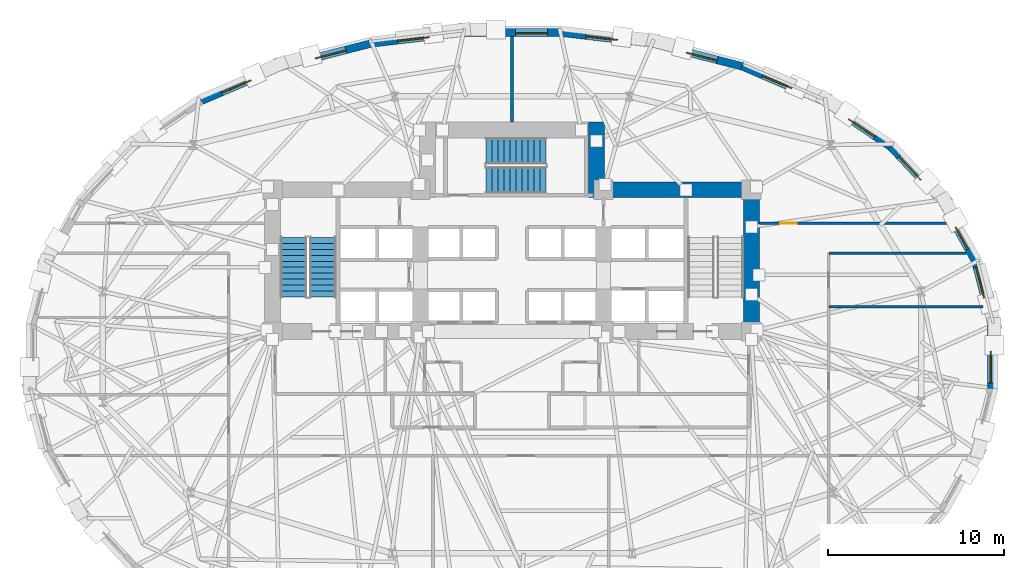
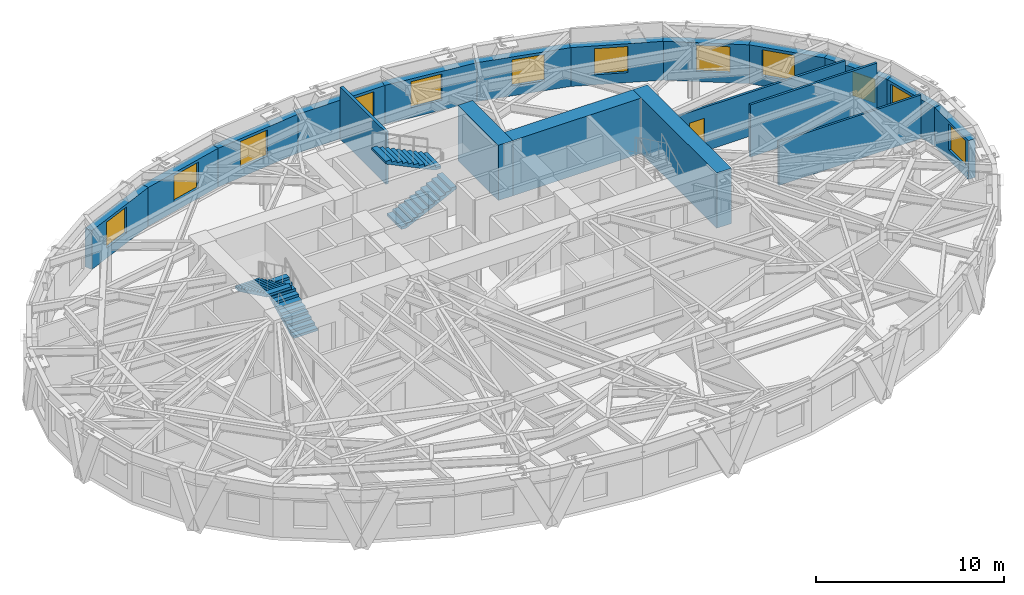
# One storey, part 9 of 14: 19 walls, 12 windows, 4 stair flights, 1 door, 13 openings, 2 elements without a shape of their own.
"""IFC4 building model written with IfcOpenShell, lengths in metres."""

from ifc_helpers import new_model, si_unit, direction, frame, frame_2d, origin, place, context, subcontext, project, spatial, polyline, rectangle, outline, extrude, material, layer, layer_set, type_object, element, fill, aggregate, save


model = new_model("IFC4")

# Units and contexts
model_context = context("Model", 3, precision=1e-05, world=origin(), true_north=direction((0.0, 1.0)))
body_context = subcontext(model_context, "Body", "Model", "MODEL_VIEW")
ifc_project = project(units=[si_unit("LENGTHUNIT", "METRE"), si_unit("AREAUNIT", "SQUARE_METRE"), si_unit("VOLUMEUNIT", "CUBIC_METRE"), si_unit("PLANEANGLEUNIT", "RADIAN"), si_unit("MASSUNIT", "GRAM", prefix="KILO")], contexts=[model_context])

# Site, building, storey
site_placement = place(None, origin())
site = spatial("IfcSite", under=ifc_project, at=site_placement, CompositionType="ELEMENT")
building_placement = place(site_placement, origin())
building = spatial("IfcBuilding", under=site, at=building_placement, Name="Keldmark Tower", CompositionType="ELEMENT")
storey_placement = place(building_placement, frame((0.0, 0.0, 48.60009765625)))
storey = spatial("IfcBuildingStorey", under=building, at=storey_placement, Name="L12", CompositionType="ELEMENT", Elevation=48.60009765625)

# Wall, opening, door
ifc_material_1 = material(Name="Acoustic Double-Layer Gypsum Corridor Partition", Category="gypsum")
ifc_layer_1 = layer(ifc_material_1, 0.139892578125)
ifc_layer_set_1 = layer_set([ifc_layer_1], Name="Acoustic Double-Layer Gypsum Corridor Partition")
wall_type_1 = type_object("IfcWallType", Name="Acoustic Corridor Partition 140 mm", PredefinedType="PARTITIONING", material=ifc_layer_set_1)
wall_1_placement = place(storey_placement, frame((14.050048828125, 7.550048828125, 0.0), z_axis=(0.0, 0.0, 1.0), x_axis=(1.0, 0.0, 0.0)))
wall_1 = element("IfcWall", 1, at=wall_1_placement, inside=storey, type_object=wall_type_1, Name="L12 Acoustic Corridor Partition 140 mm COR-EN-CAP", PredefinedType="PARTITIONING", context=body_context, shape_type="SweptSolid", body=[
    extrude(rectangle(XDim=10.805908203125, YDim=0.139892578125, at=frame_2d((5.40283203125, 0.0))), origin(), (0.0, 0.0, 1.0), 2.852783203125),
])
opening_1_placement = place(wall_1_placement, frame((1.199951171875, 0.0, 0.0)))
opening_1 = element("IfcOpeningElement", 2, at=opening_1_placement, cuts=wall_1, Name="Opening D-EX092", PredefinedType="OPENING", context=body_context, shape_type="SweptSolid", body=[
    extrude(rectangle(XDim=0.919921875, YDim=2.14990234375, at=frame_2d((0.4599609375, 1.074951171875))), frame((0.0, 0.079833984375, 0.0), z_axis=(0.0, -1.0, 0.0), x_axis=(1.0, 0.0, 0.0)), (0.0, 0.0, 1.0), 0.159912109375),
])
ifc_material_2 = material(Name="Flush American Ash Executive Office Door", Category="wood")
door_type = type_object("IfcDoorType", Name="Executive Office Door 920x2150", OperationType="NOTDEFINED", PredefinedType="DOOR", material=ifc_material_2)
door_placement = place(opening_1_placement, origin())
door = element("IfcDoor", 3, at=door_placement, inside=storey, type_object=door_type, Name="L12 Executive Office Door 920x2150 D-NRNE-L12", OperationType="SINGLE_SWING_RIGHT", OverallHeight=2.14990234375, OverallWidth=0.919921875, PredefinedType="DOOR", context=body_context, shape_type="SweptSolid", body=[
    extrude(rectangle(XDim=0.919921875, YDim=2.14990234375, at=frame_2d((0.4599609375, 1.074951171875))), frame((0.0, 0.02490234375, 0.0), z_axis=(0.0, -1.0, 0.0), x_axis=(1.0, 0.0, 0.0)), (0.0, 0.0, 1.0), 0.050048828125),
])
fill(opening_1, door)

# Walls
wall_2_placement = place(storey_placement, frame((18.0, 5.85009765625, 0.0), z_axis=(0.0, 0.0, 1.0), x_axis=(1.0, 0.0, 0.0)))
element("IfcWall", 4, at=wall_2_placement, inside=storey, type_object=wall_type_1, Name="L12 Acoustic Corridor Partition 140 mm COR-EA-S", PredefinedType="PARTITIONING", context=body_context, shape_type="SweptSolid", body=[
    extrude(rectangle(XDim=7.8046875, YDim=0.139892578125, at=frame_2d((3.90234375, 0.0))), origin(), (0.0, 0.0, 1.0), 3.39990234375),
])
ifc_material_3 = material(Name="STC-58 Insulated Tenant Demising Gypsum Partition", Category="gypsum")
ifc_layer_2 = layer(ifc_material_3, 0.175048828125)
ifc_layer_set_2 = layer_set([ifc_layer_2], Name="STC-58 Insulated Tenant Demising Gypsum Partition")
wall_type_2 = type_object("IfcWallType", Name="Demising Suite Partition 175 mm", PredefinedType="PARTITIONING", material=ifc_layer_set_2)
wall_3_placement = place(storey_placement, frame((0.0, 13.300048828125, 0.0), z_axis=(0.0, 0.0, 1.0), x_axis=(0.0, 1.0, 0.0)))
element("IfcWall", 5, at=wall_3_placement, inside=storey, type_object=wall_type_2, Name="L12 Demising Suite Partition 175 mm N-MID-DIV", PredefinedType="PARTITIONING", context=body_context, shape_type="SweptSolid", body=[
    extrude(rectangle(XDim=4.863037109375, YDim=0.175048828125, at=frame_2d((2.431640625, 0.0))), origin(), (0.0, 0.0, 1.0), 3.39990234375),
])
ifc_material_4 = material(Name="Acoustic Gypsum Board Interior Partition", Category="gypsum")
ifc_layer_3 = layer(ifc_material_4, 0.1298828125)
ifc_layer_set_3 = layer_set([ifc_layer_3], Name="Acoustic Gypsum Board Interior Partition")
wall_type_3 = type_object("IfcWallType", Name="Interior Partition 130 mm", PredefinedType="PARTITIONING", material=ifc_layer_set_3)
wall_4_placement = place(storey_placement, frame((18.0, 2.800048828125, 0.0), z_axis=(0.0, 0.0, 1.0), x_axis=(1.0, 0.0, 0.0)))
element("IfcWall", 6, at=wall_4_placement, inside=storey, type_object=wall_type_3, Name="L12 Interior Partition 130 mm E-DIV-1", PredefinedType="PARTITIONING", context=body_context, shape_type="SweptSolid", body=[
    extrude(rectangle(XDim=8.755859375, YDim=0.1298828125, at=frame_2d((4.3779296875, 0.0))), origin(), (0.0, 0.0, 1.0), 2.8408203125),
])
ifc_material_5 = material(Name="Concrete C70/85", Category="concrete")
ifc_layer_4 = layer(ifc_material_5, 0.89990234375)
ifc_layer_set_4 = layer_set([ifc_layer_4], Name="Concrete C70/85")
wall_type_4 = type_object("IfcWallType", Name="Lower Core Shear Wall 900 mm", PredefinedType="SHEAR", material=ifc_layer_set_4)
wall_5_placement = place(storey_placement, frame((13.60009765625, 0.949951171875, 0.0), z_axis=(0.0, 0.0, 1.0), x_axis=(0.0, 1.0, 0.0)))
element("IfcWall", 7, at=wall_5_placement, inside=storey, type_object=wall_type_4, Name="L12 East Core Outer Shear Wall", PredefinedType="SHEAR", context=body_context, shape_type="SweptSolid", body=[
    extrude(rectangle(XDim=8.949951171875, YDim=0.89990234375, at=frame_2d((4.47509765625, 0.0))), origin(), (0.0, 0.0, 1.0), 3.599853515625),
])
wall_6_placement = place(storey_placement, frame((4.35009765625, 9.449951171875, 0.0), z_axis=(0.0, 0.0, 1.0), x_axis=(1.0, 0.0, 0.0)))
element("IfcWall", 8, at=wall_6_placement, inside=storey, type_object=wall_type_4, Name="L12 East Core North Shear Wall", PredefinedType="SHEAR", context=body_context, shape_type="SweptSolid", body=[
    extrude(rectangle(XDim=9.699951171875, YDim=0.89990234375, at=frame_2d((4.85009765625, 0.0))), origin(), (0.0, 0.0, 1.0), 3.599853515625),
])
wall_7_placement = place(storey_placement, frame((4.800048828125, 9.0, 0.0), z_axis=(0.0, 0.0, 1.0), x_axis=(0.0, 1.0, 0.0)))
element("IfcWall", 9, at=wall_7_placement, inside=storey, type_object=wall_type_4, Name="L12 North Core East Shear Wall", PredefinedType="SHEAR", context=body_context, shape_type="SweptSolid", body=[
    extrude(rectangle(XDim=4.300048828125, YDim=0.89990234375, at=frame_2d((2.14990234375, 0.0))), origin(), (0.0, 0.0, 1.0), 3.599853515625),
])

# Wall, opening, window
ifc_material_6 = material(Name="Ironspot Manganese Brick and Kasota Buff Limestone Spandrel Assembly", Category="masonry")
ifc_layer_5 = layer(ifc_material_6, 0.43994140625)
ifc_layer_set_5 = layer_set([ifc_layer_5], Name="Ironspot Manganese Brick and Kasota Buff Limestone Spandrel Assembly")
wall_type_5 = type_object("IfcWallType", Name="Tower Brick Pier and Spandrel Wall 440 mm", PredefinedType="STANDARD", material=ifc_layer_set_5)
wall_8_placement = place(storey_placement, frame((26.3251953125, 5.400390625, 0.0), z_axis=(0.0, 0.0, 1.0), x_axis=(0.248062710061, -0.968743976434, 0.0)))
wall_8 = element("IfcWall", 10, at=wall_8_placement, inside=storey, type_object=wall_type_5, Name="L12 Exterior Brick and Spandrel Wall 01", PredefinedType="STANDARD", context=body_context, shape_type="SweptSolid", body=[
    extrude(rectangle(XDim=3.739013671875, YDim=0.43994140625, at=frame_2d((1.86962890625, 0.0))), origin(), (0.0, 0.0, 1.0), 2.52880859375),
])
opening_2_placement = place(wall_8_placement, frame((0.348876953125, 0.0, 0.64990234375)))
opening_2 = element("IfcOpeningElement", 11, at=opening_2_placement, cuts=wall_8, Name="Opening W-02", PredefinedType="OPENING", context=body_context, shape_type="SweptSolid", body=[
    extrude(rectangle(XDim=1.800048828125, YDim=1.699951171875, at=frame_2d((0.89990234375, 0.85009765625))), frame((0.0, 0.22998046875, 0.0), z_axis=(0.0, -1.0, 0.0), x_axis=(1.0, 0.0, 0.0)), (0.0, 0.0, 1.0), 0.4599609375),
])
ifc_material_7 = material(Name="Thermally Broken Anodized Aluminum and Triple Low-E Argon Glazing", Category="aluminium")
window_type_1 = type_object("IfcWindowType", Name="Office Deep-Set Triple Window 1800x1700", PartitioningType="TRIPLE_PANEL_VERTICAL", PredefinedType="WINDOW", material=ifc_material_7)
window_1_placement = place(opening_2_placement, origin())
window_1 = element("IfcWindow", 12, at=window_1_placement, inside=storey, type_object=window_type_1, Name="L12 Deep-Set Window 01", OverallHeight=1.699951171875, OverallWidth=1.800048828125, PartitioningType="SINGLE_PANEL", PredefinedType="WINDOW", context=body_context, shape_type="SweptSolid", body=[
    extrude(rectangle(XDim=1.800048828125, YDim=1.699951171875, at=frame_2d((0.89990234375, 0.85009765625))), frame((0.0, -0.010009765625, 0.0), z_axis=(0.0, -1.0, 0.0), x_axis=(1.0, 0.0, 0.0)), (0.0, 0.0, 1.0), 0.06005859375),
])
fill(opening_2, window_1)

wall_9_placement = place(storey_placement, frame((24.416259765625, 8.8056640625, 0.0), z_axis=(0.0, 0.0, 1.0), x_axis=(0.487369438963, -0.873195871477, 0.0)))
wall_9 = element("IfcWall", 13, at=wall_9_placement, inside=storey, type_object=wall_type_5, Name="L12 Exterior Brick and Spandrel Wall 02", PredefinedType="STANDARD", context=body_context, shape_type="SweptSolid", body=[
    extrude(rectangle(XDim=3.9599609375, YDim=0.43994140625, at=frame_2d((1.97998046875, 0.0))), origin(), (0.0, 0.0, 1.0), 2.52880859375),
])
opening_3_placement = place(wall_9_placement, frame((1.672607421875, 0.0, 0.580078125)))
opening_3 = element("IfcOpeningElement", 14, at=opening_3_placement, cuts=wall_9, Name="Opening W-08", PredefinedType="OPENING", context=body_context, shape_type="SweptSolid", body=[
    extrude(rectangle(XDim=1.39990234375, YDim=1.550048828125, at=frame_2d((0.699951171875, 0.77490234375))), frame((0.0, 0.22998046875, 0.0), z_axis=(0.0, -1.0, 0.0), x_axis=(1.0, 0.0, 0.0)), (0.0, 0.0, 1.0), 0.4599609375),
])
ifc_material_8 = material(Name="Thermally Broken Anodized Aluminum and Triple Low-E Argon Glazing", Category="aluminium")
window_type_2 = type_object("IfcWindowType", Name="Residential Corner Punched Window 1400x1550", PartitioningType="SINGLE_PANEL", PredefinedType="WINDOW", material=ifc_material_8)
window_2_placement = place(opening_3_placement, origin())
window_2 = element("IfcWindow", 15, at=window_2_placement, inside=storey, type_object=window_type_2, Name="L12 Deep-Set Window 02", OverallHeight=1.550048828125, OverallWidth=1.39990234375, PartitioningType="SINGLE_PANEL", PredefinedType="WINDOW", context=body_context, shape_type="SweptSolid", body=[
    extrude(rectangle(XDim=1.39990234375, YDim=1.550048828125, at=frame_2d((0.699951171875, 0.77490234375))), frame((0.0, -0.010009765625, 0.0), z_axis=(0.0, -1.0, 0.0), x_axis=(1.0, 0.0, 0.0)), (0.0, 0.0, 1.0), 0.06005859375),
])
fill(opening_3, window_2)

wall_10_placement = place(storey_placement, frame((21.51220703125, 11.902099609375, 0.0), z_axis=(0.0, 0.0, 1.0), x_axis=(0.68299392258, -0.730424056093, 0.0)))
wall_10 = element("IfcWall", 16, at=wall_10_placement, inside=storey, type_object=wall_type_5, Name="L12 Exterior Brick and Spandrel Wall 03", PredefinedType="STANDARD", context=body_context, shape_type="SweptSolid", body=[
    extrude(rectangle(XDim=4.298095703125, YDim=0.43994140625, at=frame_2d((2.14892578125, 0.0))), origin(), (0.0, 0.0, 1.0), 2.52880859375),
])
opening_4_placement = place(wall_10_placement, frame((0.74951171875, 0.0, 0.64990234375)))
opening_4 = element("IfcOpeningElement", 17, at=opening_4_placement, cuts=wall_10, Name="Opening W-02", PredefinedType="OPENING", context=body_context, shape_type="SweptSolid", body=[
    extrude(rectangle(XDim=1.800048828125, YDim=1.699951171875, at=frame_2d((0.89990234375, 0.85009765625))), frame((0.0, 0.22998046875, 0.0), z_axis=(0.0, -1.0, 0.0), x_axis=(1.0, 0.0, 0.0)), (0.0, 0.0, 1.0), 0.4599609375),
])
window_3_placement = place(opening_4_placement, origin())
window_3 = element("IfcWindow", 18, at=window_3_placement, inside=storey, type_object=window_type_1, Name="L12 Deep-Set Window 03", OverallHeight=1.699951171875, OverallWidth=1.800048828125, PartitioningType="SINGLE_PANEL", PredefinedType="WINDOW", context=body_context, shape_type="SweptSolid", body=[
    extrude(rectangle(XDim=1.800048828125, YDim=1.699951171875, at=frame_2d((0.89990234375, 0.85009765625))), frame((0.0, -0.010009765625, 0.0), z_axis=(0.0, -1.0, 0.0), x_axis=(1.0, 0.0, 0.0)), (0.0, 0.0, 1.0), 0.06005859375),
])
fill(opening_4, window_3)

wall_11_placement = place(storey_placement, frame((17.6630859375, 14.503662109375, 0.0), z_axis=(0.0, 0.0, 1.0), x_axis=(0.827825981515, -0.560984976919, 0.0)))
wall_11 = element("IfcWall", 19, at=wall_11_placement, inside=storey, type_object=wall_type_5, Name="L12 Exterior Brick and Spandrel Wall 04", PredefinedType="STANDARD", context=body_context, shape_type="SweptSolid", body=[
    extrude(rectangle(XDim=4.694580078125, YDim=0.43994140625, at=frame_2d((2.34716796875, 0.0))), origin(), (0.0, 0.0, 1.0), 2.52880859375),
])
opening_5_placement = place(wall_11_placement, frame((1.79638671875, 0.0, 0.64990234375)))
opening_5 = element("IfcOpeningElement", 20, at=opening_5_placement, cuts=wall_11, Name="Opening W-02", PredefinedType="OPENING", context=body_context, shape_type="SweptSolid", body=[
    extrude(rectangle(XDim=1.800048828125, YDim=1.699951171875, at=frame_2d((0.89990234375, 0.85009765625))), frame((0.0, 0.22998046875, 0.0), z_axis=(0.0, -1.0, 0.0), x_axis=(1.0, 0.0, 0.0)), (0.0, 0.0, 1.0), 0.4599609375),
])
window_4_placement = place(opening_5_placement, origin())
window_4 = element("IfcWindow", 21, at=window_4_placement, inside=storey, type_object=window_type_1, Name="L12 Deep-Set Window 04", OverallHeight=1.699951171875, OverallWidth=1.800048828125, PartitioningType="SINGLE_PANEL", PredefinedType="WINDOW", context=body_context, shape_type="SweptSolid", body=[
    extrude(rectangle(XDim=1.800048828125, YDim=1.699951171875, at=frame_2d((0.89990234375, 0.85009765625))), frame((0.0, -0.010009765625, 0.0), z_axis=(0.0, -1.0, 0.0), x_axis=(1.0, 0.0, 0.0)), (0.0, 0.0, 1.0), 0.06005859375),
])
fill(opening_5, window_4)

wall_12_placement = place(storey_placement, frame((13.066650390625, 16.47265625, 0.0), z_axis=(0.0, 0.0, 1.0), x_axis=(0.918881850071, -0.394532819433, 0.0)))
wall_12 = element("IfcWall", 22, at=wall_12_placement, inside=storey, type_object=wall_type_5, Name="L12 Exterior Brick and Spandrel Wall 05", PredefinedType="STANDARD", context=body_context, shape_type="SweptSolid", body=[
    extrude(rectangle(XDim=5.0419921875, YDim=0.43994140625, at=frame_2d((2.52099609375, 0.0))), origin(), (0.0, 0.0, 1.0), 2.52880859375),
])
opening_6_placement = place(wall_12_placement, frame((1.296875, 0.0, 0.64990234375)))
opening_6 = element("IfcOpeningElement", 23, at=opening_6_placement, cuts=wall_12, Name="Opening W-02", PredefinedType="OPENING", context=body_context, shape_type="SweptSolid", body=[
    extrude(rectangle(XDim=1.800048828125, YDim=1.699951171875, at=frame_2d((0.89990234375, 0.85009765625))), frame((0.0, 0.22998046875, 0.0), z_axis=(0.0, -1.0, 0.0), x_axis=(1.0, 0.0, 0.0)), (0.0, 0.0, 1.0), 0.4599609375),
])
window_5_placement = place(opening_6_placement, origin())
window_5 = element("IfcWindow", 24, at=window_5_placement, inside=storey, type_object=window_type_1, Name="L12 Deep-Set Window 05", OverallHeight=1.699951171875, OverallWidth=1.800048828125, PartitioningType="SINGLE_PANEL", PredefinedType="WINDOW", context=body_context, shape_type="SweptSolid", body=[
    extrude(rectangle(XDim=1.800048828125, YDim=1.699951171875, at=frame_2d((0.89990234375, 0.85009765625))), frame((0.0, -0.010009765625, 0.0), z_axis=(0.0, -1.0, 0.0), x_axis=(1.0, 0.0, 0.0)), (0.0, 0.0, 1.0), 0.06005859375),
])
fill(opening_6, window_5)

wall_13_placement = place(storey_placement, frame((7.99560546875, 17.76953125, 0.0), z_axis=(0.0, 0.0, 1.0), x_axis=(0.968705592422, -0.248212560542, 0.0)))
wall_13 = element("IfcWall", 25, at=wall_13_placement, inside=storey, type_object=wall_type_5, Name="L12 Exterior Brick and Spandrel Wall 06", PredefinedType="STANDARD", context=body_context, shape_type="SweptSolid", body=[
    extrude(rectangle(XDim=5.26806640625, YDim=0.43994140625, at=frame_2d((2.634033203125, 0.0))), origin(), (0.0, 0.0, 1.0), 2.52880859375),
])
opening_7_placement = place(wall_13_placement, frame((1.9814453125, 0.0, 0.64990234375)))
opening_7 = element("IfcOpeningElement", 26, at=opening_7_placement, cuts=wall_13, Name="Opening W-02", PredefinedType="OPENING", context=body_context, shape_type="SweptSolid", body=[
    extrude(rectangle(XDim=1.800048828125, YDim=1.699951171875, at=frame_2d((0.89990234375, 0.85009765625))), frame((0.0, 0.22998046875, 0.0), z_axis=(0.0, -1.0, 0.0), x_axis=(1.0, 0.0, 0.0)), (0.0, 0.0, 1.0), 0.4599609375),
])
window_6_placement = place(opening_7_placement, origin())
window_6 = element("IfcWindow", 27, at=window_6_placement, inside=storey, type_object=window_type_1, Name="L12 Deep-Set Window 06", OverallHeight=1.699951171875, OverallWidth=1.800048828125, PartitioningType="SINGLE_PANEL", PredefinedType="WINDOW", context=body_context, shape_type="SweptSolid", body=[
    extrude(rectangle(XDim=1.800048828125, YDim=1.699951171875, at=frame_2d((0.89990234375, 0.85009765625))), frame((0.0, -0.010009765625, 0.0), z_axis=(0.0, -1.0, 0.0), x_axis=(1.0, 0.0, 0.0)), (0.0, 0.0, 1.0), 0.06005859375),
])
fill(opening_7, window_6)

wall_14_placement = place(storey_placement, frame((2.679443359375, 18.392578125, 0.0), z_axis=(0.0, 0.0, 1.0), x_axis=(0.993159890371, -0.116762289112, 0.0)))
wall_14 = element("IfcWall", 28, at=wall_14_placement, inside=storey, type_object=wall_type_5, Name="L12 Exterior Brick and Spandrel Wall 07", PredefinedType="STANDARD", context=body_context, shape_type="SweptSolid", body=[
    extrude(rectangle(XDim=5.382080078125, YDim=0.43994140625, at=frame_2d((2.69091796875, 0.0))), origin(), (0.0, 0.0, 1.0), 2.52880859375),
])
opening_8_placement = place(wall_14_placement, frame((1.54248046875, 0.0, 0.64990234375)))
opening_8 = element("IfcOpeningElement", 29, at=opening_8_placement, cuts=wall_14, Name="Opening W-02", PredefinedType="OPENING", context=body_context, shape_type="SweptSolid", body=[
    extrude(rectangle(XDim=1.800048828125, YDim=1.699951171875, at=frame_2d((0.89990234375, 0.85009765625))), frame((0.0, 0.22998046875, 0.0), z_axis=(0.0, -1.0, 0.0), x_axis=(1.0, 0.0, 0.0)), (0.0, 0.0, 1.0), 0.4599609375),
])
window_7_placement = place(opening_8_placement, origin())
window_7 = element("IfcWindow", 30, at=window_7_placement, inside=storey, type_object=window_type_1, Name="L12 Deep-Set Window 07", OverallHeight=1.699951171875, OverallWidth=1.800048828125, PartitioningType="SINGLE_PANEL", PredefinedType="WINDOW", context=body_context, shape_type="SweptSolid", body=[
    extrude(rectangle(XDim=1.800048828125, YDim=1.699951171875, at=frame_2d((0.89990234375, 0.85009765625))), frame((0.0, -0.010009765625, 0.0), z_axis=(0.0, -1.0, 0.0), x_axis=(1.0, 0.0, 0.0)), (0.0, 0.0, 1.0), 0.06005859375),
])
fill(opening_8, window_7)

wall_15_placement = place(storey_placement, frame((-2.705078125, 18.39111328125, 0.0), z_axis=(0.0, 0.0, 1.0), x_axis=(1.0, 0.0, 0.0)))
wall_15 = element("IfcWall", 31, at=wall_15_placement, inside=storey, type_object=wall_type_5, Name="L12 Exterior Brick and Spandrel Wall 08", PredefinedType="STANDARD", context=body_context, shape_type="SweptSolid", body=[
    extrude(rectangle(XDim=5.41015625, YDim=0.43994140625, at=frame_2d((2.705078125, 0.0))), origin(), (0.0, 0.0, 1.0), 2.52880859375),
])
opening_9_placement = place(wall_15_placement, frame((2.91650390625, 0.0, 0.64990234375)))
opening_9 = element("IfcOpeningElement", 32, at=opening_9_placement, cuts=wall_15, Name="Opening W-02", PredefinedType="OPENING", context=body_context, shape_type="SweptSolid", body=[
    extrude(rectangle(XDim=1.800048828125, YDim=1.699951171875, at=frame_2d((0.89990234375, 0.85009765625))), frame((0.0, 0.22998046875, 0.0), z_axis=(0.0, -1.0, 0.0), x_axis=(1.0, 0.0, 0.0)), (0.0, 0.0, 1.0), 0.4599609375),
])
window_8_placement = place(opening_9_placement, origin())
window_8 = element("IfcWindow", 33, at=window_8_placement, inside=storey, type_object=window_type_1, Name="L12 Deep-Set Window 08", OverallHeight=1.699951171875, OverallWidth=1.800048828125, PartitioningType="SINGLE_PANEL", PredefinedType="WINDOW", context=body_context, shape_type="SweptSolid", body=[
    extrude(rectangle(XDim=1.800048828125, YDim=1.699951171875, at=frame_2d((0.89990234375, 0.85009765625))), frame((0.0, -0.010009765625, 0.0), z_axis=(0.0, -1.0, 0.0), x_axis=(1.0, 0.0, 0.0)), (0.0, 0.0, 1.0), 0.06005859375),
])
fill(opening_9, window_8)

wall_16_placement = place(storey_placement, frame((-8.024658203125, 17.76416015625, 0.0), z_axis=(0.0, 0.0, 1.0), x_axis=(0.993159890371, 0.116762289112, 0.0)))
wall_16 = element("IfcWall", 34, at=wall_16_placement, inside=storey, type_object=wall_type_5, Name="L12 Exterior Brick and Spandrel Wall 09", PredefinedType="STANDARD", context=body_context, shape_type="SweptSolid", body=[
    extrude(rectangle(XDim=5.382080078125, YDim=0.43994140625, at=frame_2d((2.69091796875, 0.0))), origin(), (0.0, 0.0, 1.0), 2.52880859375),
])
opening_10_placement = place(wall_16_placement, frame((1.54248046875, 0.0, 0.64990234375)))
opening_10 = element("IfcOpeningElement", 35, at=opening_10_placement, cuts=wall_16, Name="Opening W-02", PredefinedType="OPENING", context=body_context, shape_type="SweptSolid", body=[
    extrude(rectangle(XDim=1.800048828125, YDim=1.699951171875, at=frame_2d((0.89990234375, 0.85009765625))), frame((0.0, 0.22998046875, 0.0), z_axis=(0.0, -1.0, 0.0), x_axis=(1.0, 0.0, 0.0)), (0.0, 0.0, 1.0), 0.4599609375),
])
window_9_placement = place(opening_10_placement, origin())
window_9 = element("IfcWindow", 36, at=window_9_placement, inside=storey, type_object=window_type_1, Name="L12 Deep-Set Window 09", OverallHeight=1.699951171875, OverallWidth=1.800048828125, PartitioningType="SINGLE_PANEL", PredefinedType="WINDOW", context=body_context, shape_type="SweptSolid", body=[
    extrude(rectangle(XDim=1.800048828125, YDim=1.699951171875, at=frame_2d((0.89990234375, 0.85009765625))), frame((0.0, -0.010009765625, 0.0), z_axis=(0.0, -1.0, 0.0), x_axis=(1.0, 0.0, 0.0)), (0.0, 0.0, 1.0), 0.06005859375),
])
fill(opening_10, window_9)

wall_17_placement = place(storey_placement, frame((-13.098876953125, 16.4619140625, 0.0), z_axis=(0.0, 0.0, 1.0), x_axis=(0.968705592422, 0.248212560542, 0.0)))
wall_17 = element("IfcWall", 37, at=wall_17_placement, inside=storey, type_object=wall_type_5, Name="L12 Exterior Brick and Spandrel Wall 10", PredefinedType="STANDARD", context=body_context, shape_type="SweptSolid", body=[
    extrude(rectangle(XDim=5.26806640625, YDim=0.43994140625, at=frame_2d((2.634033203125, 0.0))), origin(), (0.0, 0.0, 1.0), 2.52880859375),
])
opening_11_placement = place(wall_17_placement, frame((1.9814453125, 0.0, 0.64990234375)))
opening_11 = element("IfcOpeningElement", 38, at=opening_11_placement, cuts=wall_17, Name="Opening W-02", PredefinedType="OPENING", context=body_context, shape_type="SweptSolid", body=[
    extrude(rectangle(XDim=1.800048828125, YDim=1.699951171875, at=frame_2d((0.89990234375, 0.85009765625))), frame((0.0, 0.22998046875, 0.0), z_axis=(0.0, -1.0, 0.0), x_axis=(1.0, 0.0, 0.0)), (0.0, 0.0, 1.0), 0.4599609375),
])
window_10_placement = place(opening_11_placement, origin())
window_10 = element("IfcWindow", 39, at=window_10_placement, inside=storey, type_object=window_type_1, Name="L12 Deep-Set Window 10", OverallHeight=1.699951171875, OverallWidth=1.800048828125, PartitioningType="SINGLE_PANEL", PredefinedType="WINDOW", context=body_context, shape_type="SweptSolid", body=[
    extrude(rectangle(XDim=1.800048828125, YDim=1.699951171875, at=frame_2d((0.89990234375, 0.85009765625))), frame((0.0, -0.010009765625, 0.0), z_axis=(0.0, -1.0, 0.0), x_axis=(1.0, 0.0, 0.0)), (0.0, 0.0, 1.0), 0.06005859375),
])
fill(opening_11, window_10)

wall_18_placement = place(storey_placement, frame((-17.69970703125, 14.4833984375, 0.0), z_axis=(0.0, 0.0, 1.0), x_axis=(0.918881850071, 0.394532819433, 0.0)))
wall_18 = element("IfcWall", 40, at=wall_18_placement, inside=storey, type_object=wall_type_5, Name="L12 Exterior Brick and Spandrel Wall 11", PredefinedType="STANDARD", context=body_context, shape_type="SweptSolid", body=[
    extrude(rectangle(XDim=5.0419921875, YDim=0.43994140625, at=frame_2d((2.52099609375, 0.0))), origin(), (0.0, 0.0, 1.0), 2.52880859375),
])
opening_12_placement = place(wall_18_placement, frame((1.296875, 0.0, 0.64990234375)))
opening_12 = element("IfcOpeningElement", 41, at=opening_12_placement, cuts=wall_18, Name="Opening W-02", PredefinedType="OPENING", context=body_context, shape_type="SweptSolid", body=[
    extrude(rectangle(XDim=1.800048828125, YDim=1.699951171875, at=frame_2d((0.89990234375, 0.85009765625))), frame((0.0, 0.22998046875, 0.0), z_axis=(0.0, -1.0, 0.0), x_axis=(1.0, 0.0, 0.0)), (0.0, 0.0, 1.0), 0.4599609375),
])
window_11_placement = place(opening_12_placement, origin())
window_11 = element("IfcWindow", 42, at=window_11_placement, inside=storey, type_object=window_type_1, Name="L12 Deep-Set Window 11", OverallHeight=1.699951171875, OverallWidth=1.800048828125, PartitioningType="SINGLE_PANEL", PredefinedType="WINDOW", context=body_context, shape_type="SweptSolid", body=[
    extrude(rectangle(XDim=1.800048828125, YDim=1.699951171875, at=frame_2d((0.89990234375, 0.85009765625))), frame((0.0, -0.010009765625, 0.0), z_axis=(0.0, -1.0, 0.0), x_axis=(1.0, 0.0, 0.0)), (0.0, 0.0, 1.0), 0.06005859375),
])
fill(opening_12, window_11)

wall_19_placement = place(storey_placement, frame((27.245849609375, 1.8330078125, 0.0), z_axis=(0.0, 0.0, 1.0), x_axis=(0.0, -1.0, 0.0)))
wall_19 = element("IfcWall", 43, at=wall_19_placement, inside=storey, type_object=wall_type_5, Name="L12 Exterior Brick and Spandrel Wall 32", PredefinedType="STANDARD", context=body_context, shape_type="SweptSolid", body=[
    extrude(rectangle(XDim=3.666015625, YDim=0.43994140625, at=frame_2d((1.8330078125, 0.0))), origin(), (0.0, 0.0, 1.0), 2.52880859375),
])
opening_13_placement = place(wall_19_placement, frame((1.568359375, 0.0, 0.64990234375)))
opening_13 = element("IfcOpeningElement", 44, at=opening_13_placement, cuts=wall_19, Name="Opening W-02", PredefinedType="OPENING", context=body_context, shape_type="SweptSolid", body=[
    extrude(rectangle(XDim=1.800048828125, YDim=1.699951171875, at=frame_2d((0.89990234375, 0.85009765625))), frame((0.0, 0.22998046875, 0.0), z_axis=(0.0, -1.0, 0.0), x_axis=(1.0, 0.0, 0.0)), (0.0, 0.0, 1.0), 0.4599609375),
])
window_12_placement = place(opening_13_placement, origin())
window_12 = element("IfcWindow", 45, at=window_12_placement, inside=storey, type_object=window_type_1, Name="L12 Deep-Set Window 32", OverallHeight=1.699951171875, OverallWidth=1.800048828125, PartitioningType="SINGLE_PANEL", PredefinedType="WINDOW", context=body_context, shape_type="SweptSolid", body=[
    extrude(rectangle(XDim=1.800048828125, YDim=1.699951171875, at=frame_2d((0.89990234375, 0.85009765625))), frame((0.0, -0.010009765625, 0.0), z_axis=(0.0, -1.0, 0.0), x_axis=(1.0, 0.0, 0.0)), (0.0, 0.0, 1.0), 0.06005859375),
])
fill(opening_13, window_12)

# Stair, stair flights
ifc_material_9 = material(Name="Concrete C40/50", Category="concrete")
stair_type = type_object("IfcStairType", Name="Precast Concrete Core Exit Stair", PredefinedType="HALF_TURN_STAIR", material=ifc_material_9)
stair_1_placement = place(storey_placement, origin())
stair_1 = element("IfcStair", 46, at=stair_1_placement, inside=storey, type_object=stair_type, Name="L12 Exit Stair ST1", PredefinedType="HALF_TURN_STAIR")
ifc_material_10 = material(Name="Concrete C40/50", Category="concrete")
stair_flight_type = type_object("IfcStairFlightType", Name="Precast Concrete Stair Flight 1500 mm", PredefinedType="STRAIGHT", material=ifc_material_10)
stair_flight_1_placement = place(storey_placement, frame((-10.75, 3.35009765625, 0.0), z_axis=(0.0, 0.0, 1.0), x_axis=(0.0, 1.0, 0.0)))
stair_flight_1 = element("IfcStairFlight", 47, at=stair_flight_1_placement, type_object=stair_flight_type, Name="ST1 flight 1", NumberOfRisers=11, NumberOfTreads=10, PredefinedType="STRAIGHT", RiserHeight=0.163636364, TreadLength=0.34, context=body_context, shape_type="SweptSolid", body=[
    extrude(outline(polyline([(0.0, 0.0), (0.0, 0.16357421875), (0.340087890625, 0.16357421875), (0.340087890625, 0.327392578125), (0.679931640625, 0.327392578125), (0.679931640625, 0.490966796875), (1.02001953125, 0.490966796875), (1.02001953125, 0.654541015625), (1.360107421875, 0.654541015625), (1.360107421875, 0.818115234375), (1.699951171875, 0.818115234375), (1.699951171875, 0.98193359375), (2.0400390625, 0.98193359375), (2.0400390625, 1.1455078125), (2.3798828125, 1.1455078125), (2.3798828125, 1.30908203125), (2.719970703125, 1.30908203125), (2.719970703125, 1.47265625), (3.06005859375, 1.47265625), (3.06005859375, 1.636474609375), (3.39990234375, 1.636474609375), (3.39990234375, 1.800048828125), (3.39990234375, 1.469970703125), (0.345703125, 0.0), (0.0, 0.0)])), frame((0.0, 0.75, 0.0), z_axis=(0.0, -1.0, 0.0), x_axis=(1.0, 0.0, 0.0)), (0.0, 0.0, 1.0), 1.5),
])
stair_flight_2_placement = place(storey_placement, frame((-12.39990234375, 6.75, 1.7998046875), z_axis=(0.0, 0.0, 1.0), x_axis=(0.0, -1.0, 0.0)))
stair_flight_2 = element("IfcStairFlight", 48, at=stair_flight_2_placement, type_object=stair_flight_type, Name="ST1 flight 2", NumberOfRisers=11, NumberOfTreads=10, PredefinedType="STRAIGHT", RiserHeight=0.163636364, TreadLength=0.34, context=body_context, shape_type="SweptSolid", body=[
    extrude(outline(polyline([(0.0, 0.0), (0.0, 0.16357421875), (0.340087890625, 0.16357421875), (0.340087890625, 0.327392578125), (0.679931640625, 0.327392578125), (0.679931640625, 0.490966796875), (1.02001953125, 0.490966796875), (1.02001953125, 0.654541015625), (1.360107421875, 0.654541015625), (1.360107421875, 0.818115234375), (1.699951171875, 0.818115234375), (1.699951171875, 0.98193359375), (2.0400390625, 0.98193359375), (2.0400390625, 1.1455078125), (2.3798828125, 1.1455078125), (2.3798828125, 1.30908203125), (2.719970703125, 1.30908203125), (2.719970703125, 1.47265625), (3.06005859375, 1.47265625), (3.06005859375, 1.636474609375), (3.39990234375, 1.636474609375), (3.39990234375, 1.800048828125), (3.39990234375, 1.469970703125), (0.345703125, 0.0), (0.0, 0.0)])), frame((0.0, 0.75, 0.0), z_axis=(0.0, -1.0, 0.0), x_axis=(1.0, 0.0, 0.0)), (0.0, 0.0, 1.0), 1.5),
])
aggregate(stair_1, [stair_flight_1, stair_flight_2])

stair_2_placement = place(storey_placement, origin())
stair_2 = element("IfcStair", 49, at=stair_2_placement, inside=storey, type_object=stair_type, Name="L12 Exit Stair ST3", PredefinedType="HALF_TURN_STAIR")
stair_flight_3_placement = place(storey_placement, frame((-1.47509765625, 10.0, 0.0), z_axis=(0.0, 0.0, 1.0), x_axis=(1.0, 0.0, 0.0)))
stair_flight_3 = element("IfcStairFlight", 50, at=stair_flight_3_placement, type_object=stair_flight_type, Name="ST3 flight 1", NumberOfRisers=11, NumberOfTreads=10, PredefinedType="STRAIGHT", RiserHeight=0.163636364, TreadLength=0.34, context=body_context, shape_type="SweptSolid", body=[
    extrude(outline(polyline([(0.0, 0.0), (0.0, 0.16357421875), (0.340087890625, 0.16357421875), (0.340087890625, 0.327392578125), (0.679931640625, 0.327392578125), (0.679931640625, 0.490966796875), (1.02001953125, 0.490966796875), (1.02001953125, 0.654541015625), (1.360107421875, 0.654541015625), (1.360107421875, 0.818115234375), (1.699951171875, 0.818115234375), (1.699951171875, 0.98193359375), (2.0400390625, 0.98193359375), (2.0400390625, 1.1455078125), (2.3798828125, 1.1455078125), (2.3798828125, 1.30908203125), (2.719970703125, 1.30908203125), (2.719970703125, 1.47265625), (3.06005859375, 1.47265625), (3.06005859375, 1.636474609375), (3.39990234375, 1.636474609375), (3.39990234375, 1.800048828125), (3.39990234375, 1.469970703125), (0.345703125, 0.0), (0.0, 0.0)])), frame((0.0, 0.75, 0.0), z_axis=(0.0, -1.0, 0.0), x_axis=(1.0, 0.0, 0.0)), (0.0, 0.0, 1.0), 1.5),
])
stair_flight_4_placement = place(storey_placement, frame((1.925048828125, 11.64990234375, 1.7998046875), z_axis=(0.0, 0.0, 1.0), x_axis=(-1.0, 0.0, 0.0)))
stair_flight_4 = element("IfcStairFlight", 51, at=stair_flight_4_placement, type_object=stair_flight_type, Name="ST3 flight 2", NumberOfRisers=11, NumberOfTreads=10, PredefinedType="STRAIGHT", RiserHeight=0.163636364, TreadLength=0.34, context=body_context, shape_type="SweptSolid", body=[
    extrude(outline(polyline([(0.0, 0.0), (0.0, 0.16357421875), (0.340087890625, 0.16357421875), (0.340087890625, 0.327392578125), (0.679931640625, 0.327392578125), (0.679931640625, 0.490966796875), (1.02001953125, 0.490966796875), (1.02001953125, 0.654541015625), (1.360107421875, 0.654541015625), (1.360107421875, 0.818115234375), (1.699951171875, 0.818115234375), (1.699951171875, 0.98193359375), (2.0400390625, 0.98193359375), (2.0400390625, 1.1455078125), (2.3798828125, 1.1455078125), (2.3798828125, 1.30908203125), (2.719970703125, 1.30908203125), (2.719970703125, 1.47265625), (3.06005859375, 1.47265625), (3.06005859375, 1.636474609375), (3.39990234375, 1.636474609375), (3.39990234375, 1.800048828125), (3.39990234375, 1.469970703125), (0.345703125, 0.0), (0.0, 0.0)])), frame((0.0, 0.75, 0.0), z_axis=(0.0, -1.0, 0.0), x_axis=(1.0, 0.0, 0.0)), (0.0, 0.0, 1.0), 1.5),
])
aggregate(stair_2, [stair_flight_3, stair_flight_4])

save(model, "model.ifc")
